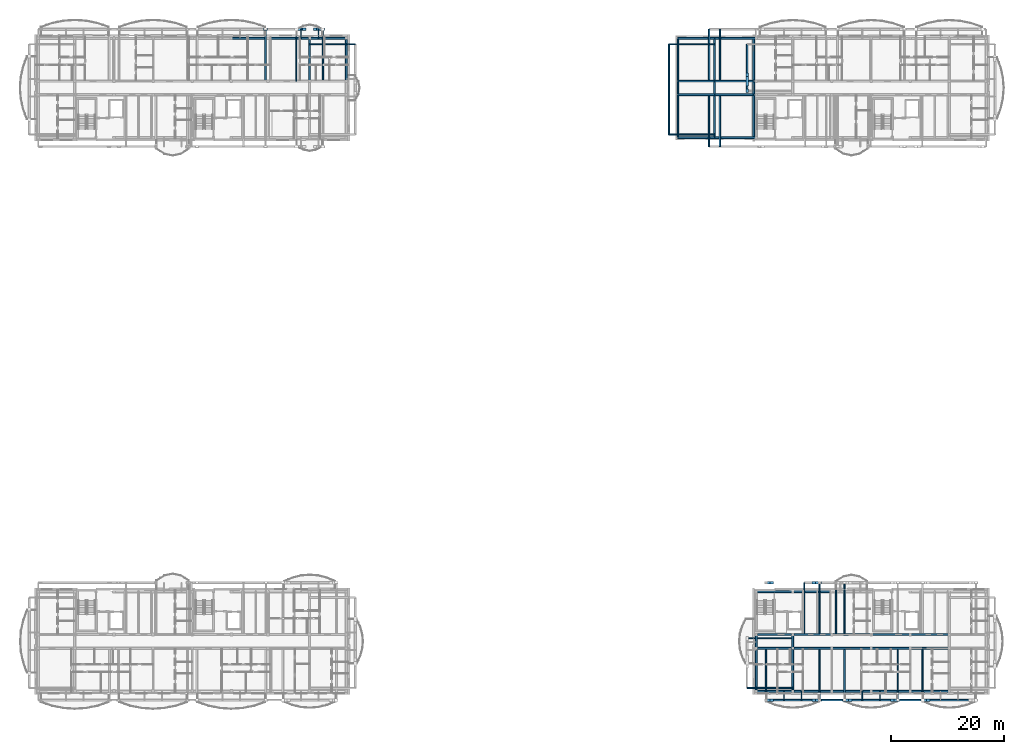
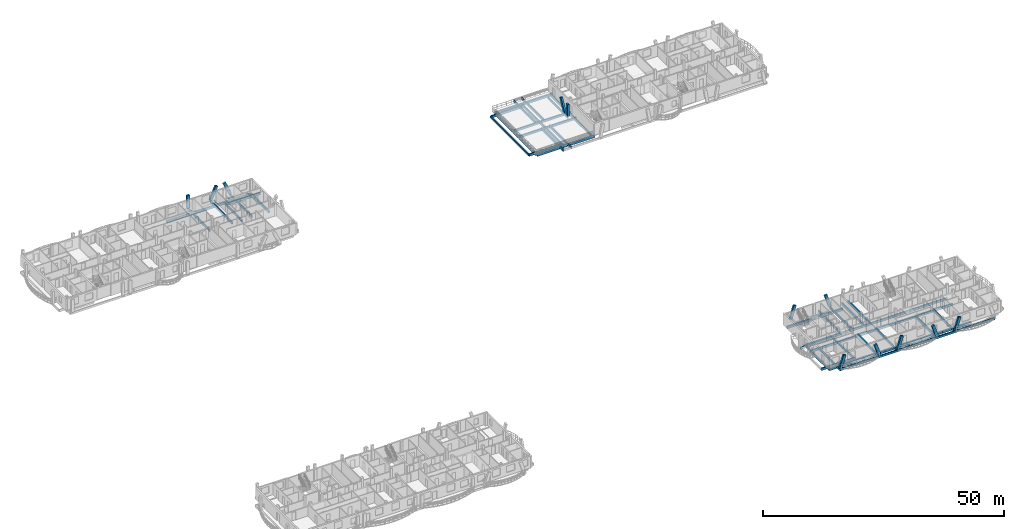
# One storey, part 5 of 44: 73 beams, 12 members.
"""IFC4 building model written with IfcOpenShell, lengths in metres."""

from ifc_helpers import new_model, si_unit, direction, frame, origin, origin_2d, place, context, subcontext, project, spatial, rectangle, i_section, extrude, material, material_profile, profile_set, type_object, element, save


model = new_model("IFC4")

# Units and contexts
model_context = context("Model", 3, precision=1e-05, world=origin(), true_north=direction((0.0, 1.0)))
body_context = subcontext(model_context, "Body", "Model", "MODEL_VIEW")
ifc_project = project(units=[si_unit("LENGTHUNIT", "METRE"), si_unit("AREAUNIT", "SQUARE_METRE"), si_unit("VOLUMEUNIT", "CUBIC_METRE"), si_unit("PLANEANGLEUNIT", "RADIAN"), si_unit("MASSUNIT", "GRAM", prefix="KILO")], contexts=[model_context])

# Site, building, storey
site_placement = place(None, origin())
site = spatial("IfcSite", under=ifc_project, at=site_placement, CompositionType="ELEMENT")
building_placement = place(site_placement, origin())
building = spatial("IfcBuilding", under=site, at=building_placement, Name="Zavelmont Quarter", CompositionType="ELEMENT")
storey_placement = place(building_placement, frame((0.0, 0.0, 20.800048828125)))
storey = spatial("IfcBuildingStorey", under=building, at=storey_placement, Name="L06", CompositionType="ELEMENT", Elevation=20.800048828125)

# Beams
ifc_material_1 = material(Name="Concrete C35/45", Category="concrete")
ifc_material_profile_1 = material_profile(ifc_material_1, rectangle(XDim=0.35009765625, YDim=0.60009765625, at=origin_2d()), Name="RC350X600")
ifc_profile_set_1 = profile_set([ifc_material_profile_1], Name="Concrete C35/45")
beam_type_1 = type_object("IfcBeamType", Name="BM01", PredefinedType="SPANDREL", material=ifc_profile_set_1)
beam_1_placement = place(storey_placement, frame((34.5, 115.56005859375, -0.550048828125), z_axis=(1.0, 0.0, 0.0), x_axis=(0.0, 1.0, 0.0)))
element("IfcBeam", 1, at=beam_1_placement, inside=storey, type_object=beam_type_1, Name="L06 beam BM01 6/S to 7/S", PredefinedType="SPANDREL", context=body_context, shape_type="SweptSolid", body=[
    extrude(rectangle(XDim=0.35009765625, YDim=0.60009765625, at=origin_2d()), origin(), (0.0, 0.0, 1.0), 6.4599609375),
])
beam_2_placement = place(storey_placement, frame((40.9599609375, 115.56005859375, -0.550048828125), z_axis=(1.0, 0.0, 0.0), x_axis=(0.0, 1.0, 0.0)))
element("IfcBeam", 2, at=beam_2_placement, inside=storey, type_object=beam_type_1, Name="L06 beam BM01 7/S to 8/S", PredefinedType="SPANDREL", context=body_context, shape_type="SweptSolid", body=[
    extrude(rectangle(XDim=0.35009765625, YDim=0.60009765625, at=origin_2d()), origin(), (0.0, 0.0, 1.0), 7.340087890625),
])
for number, where, z_axis, x_axis, name in (
    (3, (48.300048828125, 115.56005859375, -0.550048828125), (1.0, 0.0, 0.0), (0.0, 1.0, 0.0), "L06 beam BM01 8/S to 9/S"),
    (4, (113.239990234375, 98.0400390625, -0.550048828125), (1.0, 0.0, 0.0), (0.0, 1.0, 0.0), "L06 beam BM01 17/P to 18/P"),
):
    element("IfcBeam", number, at=place(storey_placement, frame(where, z_axis=z_axis, x_axis=x_axis)), inside=storey, type_object=beam_type_1, Name=name, PredefinedType="SPANDREL", context=body_context, shape_type="SweptSolid", body=[
        extrude(rectangle(XDim=0.35009765625, YDim=0.60009765625, at=origin_2d()), origin(), (0.0, 0.0, 1.0), 6.4599609375),
    ])
beam_3_placement = place(storey_placement, frame((119.699951171875, 98.0400390625, -0.550048828125), z_axis=(1.0, 0.0, 0.0), x_axis=(0.0, 1.0, 0.0)))
element("IfcBeam", 5, at=beam_3_placement, inside=storey, type_object=beam_type_1, Name="L06 beam BM01 18/P to 19/P", PredefinedType="SPANDREL", context=body_context, shape_type="SweptSolid", body=[
    extrude(rectangle(XDim=0.35009765625, YDim=0.60009765625, at=origin_2d()), origin(), (0.0, 0.0, 1.0), 7.340087890625),
])
beam_4_placement = place(storey_placement, frame((113.239990234375, 115.56005859375, -0.550048828125), z_axis=(1.0, 0.0, 0.0), x_axis=(0.0, 1.0, 0.0)))
element("IfcBeam", 6, at=beam_4_placement, inside=storey, type_object=beam_type_1, Name="L06 beam BM01 17/S to 18/S", PredefinedType="SPANDREL", context=body_context, shape_type="SweptSolid", body=[
    extrude(rectangle(XDim=0.35009765625, YDim=0.60009765625, at=origin_2d()), origin(), (0.0, 0.0, 1.0), 6.4599609375),
])
beam_5_placement = place(storey_placement, frame((119.699951171875, 115.56005859375, -0.550048828125), z_axis=(1.0, 0.0, 0.0), x_axis=(0.0, 1.0, 0.0)))
element("IfcBeam", 7, at=beam_5_placement, inside=storey, type_object=beam_type_1, Name="L06 beam BM01 18/S to 19/S", PredefinedType="SPANDREL", context=body_context, shape_type="SweptSolid", body=[
    extrude(rectangle(XDim=0.35009765625, YDim=0.60009765625, at=origin_2d()), origin(), (0.0, 0.0, 1.0), 7.340087890625),
])
beam_6_placement = place(storey_placement, frame((127.0400390625, 0.43994140625, -0.550048828125), z_axis=(1.0, 0.0, 0.0), x_axis=(0.0, 1.0, 0.0)))
element("IfcBeam", 8, at=beam_6_placement, inside=storey, type_object=beam_type_1, Name="L06 beam BM01 19/A to 20/A", PredefinedType="SPANDREL", context=body_context, shape_type="SweptSolid", body=[
    extrude(rectangle(XDim=0.35009765625, YDim=0.60009765625, at=origin_2d()), origin(), (0.0, 0.0, 1.0), 6.4599609375),
])
beam_7_placement = place(storey_placement, frame((133.5, 0.43994140625, -0.550048828125), z_axis=(1.0, 0.0, 0.0), x_axis=(0.0, 1.0, 0.0)))
element("IfcBeam", 9, at=beam_7_placement, inside=storey, type_object=beam_type_1, Name="L06 beam BM01 20/A to 21/A", PredefinedType="SPANDREL", context=body_context, shape_type="SweptSolid", body=[
    extrude(rectangle(XDim=0.35009765625, YDim=0.60009765625, at=origin_2d()), origin(), (0.0, 0.0, 1.0), 6.89990234375),
])
beam_8_placement = place(storey_placement, frame((140.39990234375, 0.43994140625, -0.550048828125), z_axis=(1.0, 0.0, 0.0), x_axis=(0.0, 1.0, 0.0)))
element("IfcBeam", 10, at=beam_8_placement, inside=storey, type_object=beam_type_1, Name="L06 beam BM01 21/A to 22/A", PredefinedType="SPANDREL", context=body_context, shape_type="SweptSolid", body=[
    extrude(rectangle(XDim=0.35009765625, YDim=0.60009765625, at=origin_2d()), origin(), (0.0, 0.0, 1.0), 6.900146484375),
])
beam_9_placement = place(storey_placement, frame((147.300048828125, 0.43994140625, -0.550048828125), z_axis=(1.0, 0.0, 0.0), x_axis=(0.0, 1.0, 0.0)))
element("IfcBeam", 11, at=beam_9_placement, inside=storey, type_object=beam_type_1, Name="L06 beam BM01 22/A to 23/A", PredefinedType="SPANDREL", context=body_context, shape_type="SweptSolid", body=[
    extrude(rectangle(XDim=0.35009765625, YDim=0.60009765625, at=origin_2d()), origin(), (0.0, 0.0, 1.0), 6.89990234375),
])
beam_10_placement = place(storey_placement, frame((154.199951171875, 0.43994140625, -0.550048828125), z_axis=(1.0, 0.0, 0.0), x_axis=(0.0, 1.0, 0.0)))
element("IfcBeam", 12, at=beam_10_placement, inside=storey, type_object=beam_type_1, Name="L06 beam BM01 23/A to 24/A", PredefinedType="SPANDREL", context=body_context, shape_type="SweptSolid", body=[
    extrude(rectangle(XDim=0.35009765625, YDim=0.60009765625, at=origin_2d()), origin(), (0.0, 0.0, 1.0), 6.900146484375),
])
beam_11_placement = place(storey_placement, frame((127.0400390625, 17.9599609375, -0.550048828125), z_axis=(1.0, 0.0, 0.0), x_axis=(0.0, 1.0, 0.0)))
element("IfcBeam", 13, at=beam_11_placement, inside=storey, type_object=beam_type_1, Name="L06 beam BM01 19/D to 20/D", PredefinedType="SPANDREL", context=body_context, shape_type="SweptSolid", body=[
    extrude(rectangle(XDim=0.35009765625, YDim=0.60009765625, at=origin_2d()), origin(), (0.0, 0.0, 1.0), 6.4599609375),
])
beam_12_placement = place(storey_placement, frame((133.5, 17.9599609375, -0.550048828125), z_axis=(1.0, 0.0, 0.0), x_axis=(0.0, 1.0, 0.0)))
element("IfcBeam", 14, at=beam_12_placement, inside=storey, type_object=beam_type_1, Name="L06 beam BM01 20/D to 21/D", PredefinedType="SPANDREL", context=body_context, shape_type="SweptSolid", body=[
    extrude(rectangle(XDim=0.35009765625, YDim=0.60009765625, at=origin_2d()), origin(), (0.0, 0.0, 1.0), 6.89990234375),
])
ifc_material_profile_2 = material_profile(ifc_material_1, rectangle(XDim=0.300048828125, YDim=0.550048828125, at=origin_2d()), Name="RC300X550")
ifc_profile_set_2 = profile_set([ifc_material_profile_2], Name="Concrete C35/45")
beam_type_2 = type_object("IfcBeamType", Name="BM02", PredefinedType="SPANDREL", material=ifc_profile_set_2)
for number, where, z_axis, x_axis, name in (
    (15, (48.300048828125, 108.0, -0.525146484375), (0.0, 1.0, 0.0), (-1.0, 0.0, 0.0), "L06 beam BM02 8/R to 8/S"),
    (16, (54.760009765625, 108.0, -0.525146484375), (0.0, 1.0, 0.0), (-1.0, 0.0, 0.0), "L06 beam BM02 9/R to 9/S"),
):
    element("IfcBeam", number, at=place(storey_placement, frame(where, z_axis=z_axis, x_axis=x_axis)), inside=storey, type_object=beam_type_2, Name=name, PredefinedType="SPANDREL", context=body_context, shape_type="SweptSolid", body=[
        extrude(rectangle(XDim=0.300048828125, YDim=0.550048828125, at=origin_2d()), origin(), (0.0, 0.0, 1.0), 7.56005859375),
    ])
beam_13_placement = place(storey_placement, frame((113.239990234375, 105.60009765625, -0.525146484375), z_axis=(1.0, 0.0, 0.0), x_axis=(0.0, 1.0, 0.0)))
element("IfcBeam", 17, at=beam_13_placement, inside=storey, type_object=beam_type_2, Name="L06 beam BM02 17/Q to 18/Q", PredefinedType="SPANDREL", context=body_context, shape_type="SweptSolid", body=[
    extrude(rectangle(XDim=0.300048828125, YDim=0.550048828125, at=origin_2d()), origin(), (0.0, 0.0, 1.0), 6.4599609375),
])
beam_14_placement = place(storey_placement, frame((119.699951171875, 105.60009765625, -0.525146484375), z_axis=(1.0, 0.0, 0.0), x_axis=(0.0, 1.0, 0.0)))
element("IfcBeam", 18, at=beam_14_placement, inside=storey, type_object=beam_type_2, Name="L06 beam BM02 18/Q to 19/Q", PredefinedType="SPANDREL", context=body_context, shape_type="SweptSolid", body=[
    extrude(rectangle(XDim=0.300048828125, YDim=0.550048828125, at=origin_2d()), origin(), (0.0, 0.0, 1.0), 7.340087890625),
])
beam_15_placement = place(storey_placement, frame((113.239990234375, 108.0, -0.525146484375), z_axis=(1.0, 0.0, 0.0), x_axis=(0.0, 1.0, 0.0)))
element("IfcBeam", 19, at=beam_15_placement, inside=storey, type_object=beam_type_2, Name="L06 beam BM02 17/R to 18/R", PredefinedType="SPANDREL", context=body_context, shape_type="SweptSolid", body=[
    extrude(rectangle(XDim=0.300048828125, YDim=0.550048828125, at=origin_2d()), origin(), (0.0, 0.0, 1.0), 6.4599609375),
])
beam_16_placement = place(storey_placement, frame((119.699951171875, 108.0, -0.525146484375), z_axis=(1.0, 0.0, 0.0), x_axis=(0.0, 1.0, 0.0)))
element("IfcBeam", 20, at=beam_16_placement, inside=storey, type_object=beam_type_2, Name="L06 beam BM02 18/R to 19/R", PredefinedType="SPANDREL", context=body_context, shape_type="SweptSolid", body=[
    extrude(rectangle(XDim=0.300048828125, YDim=0.550048828125, at=origin_2d()), origin(), (0.0, 0.0, 1.0), 7.340087890625),
])
beam_17_placement = place(storey_placement, frame((113.239990234375, 98.205078125, -0.525146484375), z_axis=(0.0, 1.0, 0.0), x_axis=(-1.0, 0.0, 0.0)))
element("IfcBeam", 21, at=beam_17_placement, inside=storey, type_object=beam_type_2, Name="L06 beam BM02 17/P to 17/Q", PredefinedType="SPANDREL", context=body_context, shape_type="SweptSolid", body=[
    extrude(rectangle(XDim=0.300048828125, YDim=0.550048828125, at=origin_2d()), origin(), (0.0, 0.0, 1.0), 7.2548828125),
])
beam_18_placement = place(storey_placement, frame((113.239990234375, 105.739990234375, -0.525146484375), z_axis=(0.0, 1.0, 0.0), x_axis=(-1.0, 0.0, 0.0)))
element("IfcBeam", 22, at=beam_18_placement, inside=storey, type_object=beam_type_2, Name="L06 beam BM02 17/Q to 17/R", PredefinedType="SPANDREL", context=body_context, shape_type="SweptSolid", body=[
    extrude(rectangle(XDim=0.300048828125, YDim=0.550048828125, at=origin_2d()), origin(), (0.0, 0.0, 1.0), 2.1201171875),
])
beam_19_placement = place(storey_placement, frame((113.239990234375, 108.139892578125, -0.525146484375), z_axis=(0.0, 1.0, 0.0), x_axis=(-1.0, 0.0, 0.0)))
element("IfcBeam", 23, at=beam_19_placement, inside=storey, type_object=beam_type_2, Name="L06 beam BM02 17/R to 17/S", PredefinedType="SPANDREL", context=body_context, shape_type="SweptSolid", body=[
    extrude(rectangle(XDim=0.300048828125, YDim=0.550048828125, at=origin_2d()), origin(), (0.0, 0.0, 1.0), 7.255126953125),
])
beam_20_placement = place(storey_placement, frame((119.699951171875, 98.205078125, -0.525146484375), z_axis=(0.0, 1.0, 0.0), x_axis=(-1.0, 0.0, 0.0)))
element("IfcBeam", 24, at=beam_20_placement, inside=storey, type_object=beam_type_2, Name="L06 beam BM02 18/P to 18/Q", PredefinedType="SPANDREL", context=body_context, shape_type="SweptSolid", body=[
    extrude(rectangle(XDim=0.300048828125, YDim=0.550048828125, at=origin_2d()), origin(), (0.0, 0.0, 1.0), 7.2548828125),
])
beam_21_placement = place(storey_placement, frame((119.699951171875, 105.739990234375, -0.525146484375), z_axis=(0.0, 1.0, 0.0), x_axis=(-1.0, 0.0, 0.0)))
element("IfcBeam", 25, at=beam_21_placement, inside=storey, type_object=beam_type_2, Name="L06 beam BM02 18/Q to 18/R", PredefinedType="SPANDREL", context=body_context, shape_type="SweptSolid", body=[
    extrude(rectangle(XDim=0.300048828125, YDim=0.550048828125, at=origin_2d()), origin(), (0.0, 0.0, 1.0), 2.1201171875),
])
beam_22_placement = place(storey_placement, frame((119.699951171875, 108.139892578125, -0.525146484375), z_axis=(0.0, 1.0, 0.0), x_axis=(-1.0, 0.0, 0.0)))
element("IfcBeam", 26, at=beam_22_placement, inside=storey, type_object=beam_type_2, Name="L06 beam BM02 18/R to 18/S", PredefinedType="SPANDREL", context=body_context, shape_type="SweptSolid", body=[
    extrude(rectangle(XDim=0.300048828125, YDim=0.550048828125, at=origin_2d()), origin(), (0.0, 0.0, 1.0), 7.255126953125),
])
beam_23_placement = place(storey_placement, frame((126.60009765625, 98.205078125, -0.525146484375), z_axis=(0.0, 1.0, 0.0), x_axis=(-1.0, 0.0, 0.0)))
element("IfcBeam", 27, at=beam_23_placement, inside=storey, type_object=beam_type_2, Name="L06 beam BM02 19/P to 19/Q", PredefinedType="SPANDREL", context=body_context, shape_type="SweptSolid", body=[
    extrude(rectangle(XDim=0.300048828125, YDim=0.550048828125, at=origin_2d()), origin(), (0.0, 0.0, 1.0), 7.2548828125),
])
beam_24_placement = place(storey_placement, frame((126.60009765625, 105.739990234375, -0.525146484375), z_axis=(0.0, 1.0, 0.0), x_axis=(-1.0, 0.0, 0.0)))
element("IfcBeam", 28, at=beam_24_placement, inside=storey, type_object=beam_type_2, Name="L06 beam BM02 19/Q to 19/R", PredefinedType="SPANDREL", context=body_context, shape_type="SweptSolid", body=[
    extrude(rectangle(XDim=0.300048828125, YDim=0.550048828125, at=origin_2d()), origin(), (0.0, 0.0, 1.0), 2.1201171875),
])
beam_25_placement = place(storey_placement, frame((126.60009765625, 108.139892578125, -0.525146484375), z_axis=(0.0, 1.0, 0.0), x_axis=(-1.0, 0.0, 0.0)))
element("IfcBeam", 29, at=beam_25_placement, inside=storey, type_object=beam_type_2, Name="L06 beam BM02 19/R to 19/S", PredefinedType="SPANDREL", context=body_context, shape_type="SweptSolid", body=[
    extrude(rectangle(XDim=0.300048828125, YDim=0.550048828125, at=origin_2d()), origin(), (0.0, 0.0, 1.0), 7.255126953125),
])
beam_26_placement = place(storey_placement, frame((127.0400390625, 8.0, -0.525146484375), z_axis=(1.0, 0.0, 0.0), x_axis=(0.0, 1.0, 0.0)))
element("IfcBeam", 30, at=beam_26_placement, inside=storey, type_object=beam_type_2, Name="L06 beam BM02 19/B to 20/B", PredefinedType="SPANDREL", context=body_context, shape_type="SweptSolid", body=[
    extrude(rectangle(XDim=0.300048828125, YDim=0.550048828125, at=origin_2d()), origin(), (0.0, 0.0, 1.0), 6.4599609375),
])
beam_27_placement = place(storey_placement, frame((133.5, 8.0, -0.525146484375), z_axis=(1.0, 0.0, 0.0), x_axis=(0.0, 1.0, 0.0)))
element("IfcBeam", 31, at=beam_27_placement, inside=storey, type_object=beam_type_2, Name="L06 beam BM02 20/B to 21/B", PredefinedType="SPANDREL", context=body_context, shape_type="SweptSolid", body=[
    extrude(rectangle(XDim=0.300048828125, YDim=0.550048828125, at=origin_2d()), origin(), (0.0, 0.0, 1.0), 6.89990234375),
])
beam_28_placement = place(storey_placement, frame((140.39990234375, 8.0, -0.525146484375), z_axis=(1.0, 0.0, 0.0), x_axis=(0.0, 1.0, 0.0)))
element("IfcBeam", 32, at=beam_28_placement, inside=storey, type_object=beam_type_2, Name="L06 beam BM02 21/B to 22/B", PredefinedType="SPANDREL", context=body_context, shape_type="SweptSolid", body=[
    extrude(rectangle(XDim=0.300048828125, YDim=0.550048828125, at=origin_2d()), origin(), (0.0, 0.0, 1.0), 6.900146484375),
])
beam_29_placement = place(storey_placement, frame((147.300048828125, 8.0, -0.525146484375), z_axis=(1.0, 0.0, 0.0), x_axis=(0.0, 1.0, 0.0)))
element("IfcBeam", 33, at=beam_29_placement, inside=storey, type_object=beam_type_2, Name="L06 beam BM02 22/B to 23/B", PredefinedType="SPANDREL", context=body_context, shape_type="SweptSolid", body=[
    extrude(rectangle(XDim=0.300048828125, YDim=0.550048828125, at=origin_2d()), origin(), (0.0, 0.0, 1.0), 6.89990234375),
])
beam_30_placement = place(storey_placement, frame((154.199951171875, 8.0, -0.525146484375), z_axis=(1.0, 0.0, 0.0), x_axis=(0.0, 1.0, 0.0)))
element("IfcBeam", 34, at=beam_30_placement, inside=storey, type_object=beam_type_2, Name="L06 beam BM02 23/B to 24/B", PredefinedType="SPANDREL", context=body_context, shape_type="SweptSolid", body=[
    extrude(rectangle(XDim=0.300048828125, YDim=0.550048828125, at=origin_2d()), origin(), (0.0, 0.0, 1.0), 6.900146484375),
])
beam_31_placement = place(storey_placement, frame((127.0400390625, 10.39990234375, -0.525146484375), z_axis=(1.0, 0.0, 0.0), x_axis=(0.0, 1.0, 0.0)))
element("IfcBeam", 35, at=beam_31_placement, inside=storey, type_object=beam_type_2, Name="L06 beam BM02 19/C to 20/C", PredefinedType="SPANDREL", context=body_context, shape_type="SweptSolid", body=[
    extrude(rectangle(XDim=0.300048828125, YDim=0.550048828125, at=origin_2d()), origin(), (0.0, 0.0, 1.0), 6.4599609375),
])
beam_32_placement = place(storey_placement, frame((133.5, 10.39990234375, -0.525146484375), z_axis=(1.0, 0.0, 0.0), x_axis=(0.0, 1.0, 0.0)))
element("IfcBeam", 36, at=beam_32_placement, inside=storey, type_object=beam_type_2, Name="L06 beam BM02 20/C to 21/C", PredefinedType="SPANDREL", context=body_context, shape_type="SweptSolid", body=[
    extrude(rectangle(XDim=0.300048828125, YDim=0.550048828125, at=origin_2d()), origin(), (0.0, 0.0, 1.0), 6.89990234375),
])
beam_33_placement = place(storey_placement, frame((140.39990234375, 10.39990234375, -0.525146484375), z_axis=(1.0, 0.0, 0.0), x_axis=(0.0, 1.0, 0.0)))
element("IfcBeam", 37, at=beam_33_placement, inside=storey, type_object=beam_type_2, Name="L06 beam BM02 21/C to 22/C", PredefinedType="SPANDREL", context=body_context, shape_type="SweptSolid", body=[
    extrude(rectangle(XDim=0.300048828125, YDim=0.550048828125, at=origin_2d()), origin(), (0.0, 0.0, 1.0), 6.900146484375),
])
beam_34_placement = place(storey_placement, frame((147.300048828125, 10.39990234375, -0.525146484375), z_axis=(1.0, 0.0, 0.0), x_axis=(0.0, 1.0, 0.0)))
element("IfcBeam", 38, at=beam_34_placement, inside=storey, type_object=beam_type_2, Name="L06 beam BM02 22/C to 23/C", PredefinedType="SPANDREL", context=body_context, shape_type="SweptSolid", body=[
    extrude(rectangle(XDim=0.300048828125, YDim=0.550048828125, at=origin_2d()), origin(), (0.0, 0.0, 1.0), 6.89990234375),
])
beam_35_placement = place(storey_placement, frame((154.199951171875, 10.39990234375, -0.525146484375), z_axis=(1.0, 0.0, 0.0), x_axis=(0.0, 1.0, 0.0)))
element("IfcBeam", 39, at=beam_35_placement, inside=storey, type_object=beam_type_2, Name="L06 beam BM02 23/C to 24/C", PredefinedType="SPANDREL", context=body_context, shape_type="SweptSolid", body=[
    extrude(rectangle(XDim=0.300048828125, YDim=0.550048828125, at=origin_2d()), origin(), (0.0, 0.0, 1.0), 6.900146484375),
])
beam_36_placement = place(storey_placement, frame((127.0400390625, 0.43994140625, -0.525146484375), z_axis=(0.0, 1.0, 0.0), x_axis=(-1.0, 0.0, 0.0)))
element("IfcBeam", 40, at=beam_36_placement, inside=storey, type_object=beam_type_2, Name="L06 beam BM02 19/A to 19/B", PredefinedType="SPANDREL", context=body_context, shape_type="SweptSolid", body=[
    extrude(rectangle(XDim=0.300048828125, YDim=0.550048828125, at=origin_2d()), origin(), (0.0, 0.0, 1.0), 7.56005859375),
])
beam_37_placement = place(storey_placement, frame((127.0400390625, 8.0, -0.525146484375), z_axis=(0.0, 1.0, 0.0), x_axis=(-1.0, 0.0, 0.0)))
element("IfcBeam", 41, at=beam_37_placement, inside=storey, type_object=beam_type_2, Name="L06 beam BM02 19/B to 19/C", PredefinedType="SPANDREL", context=body_context, shape_type="SweptSolid", body=[
    extrude(rectangle(XDim=0.300048828125, YDim=0.550048828125, at=origin_2d()), origin(), (0.0, 0.0, 1.0), 2.39990234375),
])
beam_38_placement = place(storey_placement, frame((133.5, 0.43994140625, -0.525146484375), z_axis=(0.0, 1.0, 0.0), x_axis=(-1.0, 0.0, 0.0)))
element("IfcBeam", 42, at=beam_38_placement, inside=storey, type_object=beam_type_2, Name="L06 beam BM02 20/A to 20/B", PredefinedType="SPANDREL", context=body_context, shape_type="SweptSolid", body=[
    extrude(rectangle(XDim=0.300048828125, YDim=0.550048828125, at=origin_2d()), origin(), (0.0, 0.0, 1.0), 7.56005859375),
])
beam_39_placement = place(storey_placement, frame((133.5, 8.0, -0.525146484375), z_axis=(0.0, 1.0, 0.0), x_axis=(-1.0, 0.0, 0.0)))
element("IfcBeam", 43, at=beam_39_placement, inside=storey, type_object=beam_type_2, Name="L06 beam BM02 20/B to 20/C", PredefinedType="SPANDREL", context=body_context, shape_type="SweptSolid", body=[
    extrude(rectangle(XDim=0.300048828125, YDim=0.550048828125, at=origin_2d()), origin(), (0.0, 0.0, 1.0), 2.39990234375),
])
ifc_material_profile_3 = material_profile(ifc_material_1, rectangle(XDim=0.300048828125, YDim=0.5, at=origin_2d()), Name="RC300X500")
ifc_profile_set_3 = profile_set([ifc_material_profile_3], Name="Concrete C35/45")
beam_type_3 = type_object("IfcBeamType", Name="BM03", PredefinedType="BEAM", material=ifc_profile_set_3)
beam_40_placement = place(storey_placement, frame((111.64990234375, 98.550048828125, -0.25), z_axis=(0.0, 1.0, 0.0), x_axis=(-1.0, 0.0, 0.0)))
element("IfcBeam", 44, at=beam_40_placement, inside=storey, type_object=beam_type_3, Name="L06 beam BM03 17/P to 17/S", PredefinedType="BEAM", context=body_context, shape_type="SweptSolid", body=[
    extrude(rectangle(XDim=0.300048828125, YDim=0.5, at=origin_2d()), origin(), (0.0, 0.0, 1.0), 15.949951171875),
])
beam_41_placement = place(storey_placement, frame((125.449951171875, 106.25, -0.25), z_axis=(0.0, 1.0, 0.0), x_axis=(-1.0, 0.0, 0.0)))
element("IfcBeam", 45, at=beam_41_placement, inside=storey, type_object=beam_type_3, Name="L06 beam BM03 19/Q to 19/S", PredefinedType="BEAM", context=body_context, shape_type="SweptSolid", body=[
    extrude(rectangle(XDim=0.300048828125, YDim=0.5, at=origin_2d()), origin(), (0.0, 0.0, 1.0), 8.25),
])
beam_42_placement = place(storey_placement, frame((128.784912109375, -1.14990234375, -0.25), z_axis=(1.0, 0.0, 0.0), x_axis=(0.0, 1.0, 0.0)))
element("IfcBeam", 46, at=beam_42_placement, inside=storey, type_object=beam_type_3, Name="L06 beam BM03 19/A to 25/A", PredefinedType="BEAM", context=body_context, shape_type="SweptSolid", body=[
    extrude(rectangle(XDim=0.300048828125, YDim=0.5, at=origin_2d()), origin(), (0.0, 0.0, 1.0), 37.030029296875),
])
ifc_material_2 = material(Name="Steel S355", Category="steel")
ifc_material_profile_4 = material_profile(ifc_material_2, i_section(OverallWidth=0.110107421875, OverallDepth=0.219970703125, WebThickness=0.005859375, FlangeThickness=0.00927734375, at=origin_2d()), Name="IPE 220")
ifc_profile_set_4 = profile_set([ifc_material_profile_4], Name="Steel S355")
beam_type_4 = type_object("IfcBeamType", Name="BM15", PredefinedType="JOIST", material=ifc_profile_set_4)
for number, where, z_axis, x_axis, name in (
    (47, (46.75, 115.56005859375, -0.362060546875), (0.0, 1.0, 0.0), (-1.0, 0.0, 0.0), "L06 beam BM15 8/S to 8/S"),
    (48, (49.85009765625, 115.56005859375, -0.362060546875), (0.0, 1.0, 0.0), (-1.0, 0.0, 0.0), "L06 beam BM15 8/S to 8/S"),
    (49, (131.949951171875, 0.43994140625, -0.362060546875), (0.0, -1.0, 0.0), (1.0, 0.0, 0.0), "L06 beam BM15 20/A to 20/A"),
    (50, (135.050048828125, 0.43994140625, -0.362060546875), (0.0, -1.0, 0.0), (1.0, 0.0, 0.0), "L06 beam BM15 20/A to 20/A"),
    (51, (145.75, 0.43994140625, -0.366943359375), (0.0, -1.0, 0.0), (1.0, 0.0, 0.0), "L06 beam BM15 22/A to 22/A"),
    (52, (148.85009765625, 0.43994140625, -0.366943359375), (0.0, -1.0, 0.0), (1.0, 0.0, 0.0), "L06 beam BM15 22/A to 22/A"),
):
    element("IfcBeam", number, at=place(storey_placement, frame(where, z_axis=z_axis, x_axis=x_axis)), inside=storey, type_object=beam_type_4, Name=name, PredefinedType="JOIST", context=body_context, shape_type="SweptSolid", body=[
        extrude(i_section(OverallWidth=0.110107421875, OverallDepth=0.219970703125, WebThickness=0.005859375, FlangeThickness=0.00927734375, at=origin_2d()), origin(), (0.0, 0.0, 1.0), 1.58984375),
    ])
ifc_material_3 = material(Name="Concrete C40/50", Category="concrete")
ifc_material_profile_5 = material_profile(ifc_material_3, rectangle(XDim=0.25, YDim=0.60009765625, at=origin_2d()), Name="RC250X600")
ifc_profile_set_5 = profile_set([ifc_material_profile_5], Name="Concrete C40/50")
beam_type_5 = type_object("IfcBeamType", Name="BM18", PredefinedType="BEAM", material=ifc_profile_set_5)
for number, where, z_axis, x_axis, name in (
    (53, (40.545654296875, 108.0, -0.300048828125), (0.0, 1.0, 0.0), (-1.0, 0.0, 0.0), "L06 beam BM18 7/R to 7/S"),
    (54, (45.9345703125, 108.0, -0.300048828125), (0.0, 1.0, 0.0), (-1.0, 0.0, 0.0), "L06 beam BM18 8/R to 8/S"),
    (55, (50.66552734375, 108.0, -0.300048828125), (0.0, 1.0, 0.0), (-1.0, 0.0, 0.0), "L06 beam BM18 8/R to 8/S"),
):
    element("IfcBeam", number, at=place(storey_placement, frame(where, z_axis=z_axis, x_axis=x_axis)), inside=storey, type_object=beam_type_5, Name=name, PredefinedType="BEAM", context=body_context, shape_type="SweptSolid", body=[
        extrude(rectangle(XDim=0.25, YDim=0.60009765625, at=origin_2d()), origin(), (0.0, 0.0, 1.0), 9.14990234375),
    ])
beam_43_placement = place(storey_placement, frame((48.300048828125, 114.5, -0.300048828125), z_axis=(1.0, 0.0, 0.0), x_axis=(0.0, 1.0, 0.0)))
element("IfcBeam", 56, at=beam_43_placement, inside=storey, type_object=beam_type_5, Name="L06 beam BM18 8/S to 9/S", PredefinedType="BEAM", context=body_context, shape_type="SweptSolid", body=[
    extrude(rectangle(XDim=0.25, YDim=0.60009765625, at=origin_2d()), origin(), (0.0, 0.0, 1.0), 8.050048828125),
])
for number, where, z_axis, x_axis, name in (
    (57, (118.75, 108.0, -0.300048828125), (0.0, 1.0, 0.0), (-1.0, 0.0, 0.0), "L06 beam BM18 18/R to 18/S"),
    (58, (120.64990234375, 108.0, -0.300048828125), (0.0, 1.0, 0.0), (-1.0, 0.0, 0.0), "L06 beam BM18 18/R to 18/S"),
):
    element("IfcBeam", number, at=place(storey_placement, frame(where, z_axis=z_axis, x_axis=x_axis)), inside=storey, type_object=beam_type_5, Name=name, PredefinedType="BEAM", context=body_context, shape_type="SweptSolid", body=[
        extrude(rectangle(XDim=0.25, YDim=0.60009765625, at=origin_2d()), origin(), (0.0, 0.0, 1.0), 9.14990234375),
    ])
for number, where, z_axis, x_axis, name in (
    (59, (118.75, 105.60009765625, -0.300048828125), (0.0, -1.0, 0.0), (1.0, 0.0, 0.0), "L06 beam BM18 18/Q to 18/P"),
    (60, (120.64990234375, 105.60009765625, -0.300048828125), (0.0, -1.0, 0.0), (1.0, 0.0, 0.0), "L06 beam BM18 18/Q to 18/P"),
):
    element("IfcBeam", number, at=place(storey_placement, frame(where, z_axis=z_axis, x_axis=x_axis)), inside=storey, type_object=beam_type_5, Name=name, PredefinedType="BEAM", context=body_context, shape_type="SweptSolid", body=[
        extrude(rectangle(XDim=0.25, YDim=0.60009765625, at=origin_2d()), origin(), (0.0, 0.0, 1.0), 9.150146484375),
    ])
for number, where, z_axis, x_axis, name in (
    (61, (119.699951171875, 98.550048828125, -0.300048828125), (-1.0, 0.0, 0.0), (0.0, -1.0, 0.0), "L06 beam BM18 18/P to 17/P"),
    (62, (119.699951171875, 114.5, -0.300048828125), (-1.0, 0.0, 0.0), (0.0, -1.0, 0.0), "L06 beam BM18 18/S to 17/S"),
):
    element("IfcBeam", number, at=place(storey_placement, frame(where, z_axis=z_axis, x_axis=x_axis)), inside=storey, type_object=beam_type_5, Name=name, PredefinedType="BEAM", context=body_context, shape_type="SweptSolid", body=[
        extrude(rectangle(XDim=0.25, YDim=0.60009765625, at=origin_2d()), origin(), (0.0, 0.0, 1.0), 8.050048828125),
    ])
for number, where, z_axis, x_axis, name in (
    (63, (128.785400390625, 8.0, -0.300048828125), (0.0, -1.0, 0.0), (1.0, 0.0, 0.0), "L06 beam BM18 19/B to 19/A"),
    (64, (138.214599609375, 8.0, -0.300048828125), (0.0, -1.0, 0.0), (1.0, 0.0, 0.0), "L06 beam BM18 21/B to 21/A"),
    (65, (142.585205078125, 8.0, -0.300048828125), (0.0, -1.0, 0.0), (1.0, 0.0, 0.0), "L06 beam BM18 21/B to 21/A"),
    (66, (152.0146484375, 8.0, -0.300048828125), (0.0, -1.0, 0.0), (1.0, 0.0, 0.0), "L06 beam BM18 23/B to 23/A"),
    (67, (156.38525390625, 8.0, -0.300048828125), (0.0, -1.0, 0.0), (1.0, 0.0, 0.0), "L06 beam BM18 23/B to 23/A"),
):
    element("IfcBeam", number, at=place(storey_placement, frame(where, z_axis=z_axis, x_axis=x_axis)), inside=storey, type_object=beam_type_5, Name=name, PredefinedType="BEAM", context=body_context, shape_type="SweptSolid", body=[
        extrude(rectangle(XDim=0.25, YDim=0.60009765625, at=origin_2d()), origin(), (0.0, 0.0, 1.0), 9.14990234375),
    ])
for number, where, z_axis, x_axis, name in (
    (68, (135.52490234375, 10.39990234375, -0.300048828125), (0.0, 1.0, 0.0), (-1.0, 0.0, 0.0), "L06 beam BM18 20/C to 20/D"),
    (69, (138.214599609375, 10.39990234375, -0.300048828125), (0.0, 1.0, 0.0), (-1.0, 0.0, 0.0), "L06 beam BM18 21/C to 21/D"),
    (70, (142.585205078125, 10.39990234375, -0.300048828125), (0.0, 1.0, 0.0), (-1.0, 0.0, 0.0), "L06 beam BM18 21/C to 21/D"),
    (71, (141.110595703125, 10.39990234375, -0.300048828125), (0.0, 1.0, 0.0), (-1.0, 0.0, 0.0), "L06 beam BM18 21/C to 21/D"),
):
    element("IfcBeam", number, at=place(storey_placement, frame(where, z_axis=z_axis, x_axis=x_axis)), inside=storey, type_object=beam_type_5, Name=name, PredefinedType="BEAM", context=body_context, shape_type="SweptSolid", body=[
        extrude(rectangle(XDim=0.25, YDim=0.60009765625, at=origin_2d()), origin(), (0.0, 0.0, 1.0), 9.150146484375),
    ])
for number, where, z_axis, x_axis, name in (
    (72, (133.5, 0.949951171875, -0.300048828125), (-1.0, 0.0, 0.0), (0.0, -1.0, 0.0), "L06 beam BM18 20/A to 19/A"),
    (73, (133.5, 9.75, -0.300048828125), (-1.0, 0.0, 0.0), (0.0, -1.0, 0.0), "L06 beam BM18 20/C to 19/C"),
):
    element("IfcBeam", number, at=place(storey_placement, frame(where, z_axis=z_axis, x_axis=x_axis)), inside=storey, type_object=beam_type_5, Name=name, PredefinedType="BEAM", context=body_context, shape_type="SweptSolid", body=[
        extrude(rectangle(XDim=0.25, YDim=0.60009765625, at=origin_2d()), origin(), (0.0, 0.0, 1.0), 8.050048828125),
    ])

# Members
ifc_material_4 = material(Name="White architectural precast concrete C40/50", Category="concrete")
ifc_material_profile_6 = material_profile(ifc_material_4, rectangle(XDim=0.43994140625, YDim=0.659912109375, at=origin_2d()), Name="PCR320X480")
ifc_profile_set_6 = profile_set([ifc_material_profile_6], Name="White architectural precast concrete C40/50")
member_type = type_object("IfcMemberType", Name="VR01M", PredefinedType="CHORD", material=ifc_profile_set_6)
member_1_placement = place(storey_placement, frame((40.545654296875, 117.14990234375, 0.0), z_axis=(-0.007705577285, 0.0, 0.999970311599), x_axis=(0.0, -1.0, 0.0)))
element("IfcMember", 74, at=member_1_placement, inside=storey, type_object=member_type, Name="L06 member VR01M 7/S to 7/S", PredefinedType="CHORD", context=body_context, shape_type="SweptSolid", body=[
    extrude(rectangle(XDim=0.43994140625, YDim=0.659912109375, at=origin_2d()), origin(), (0.0, 0.0, 1.0), 3.199951171875),
])
for number, where, z_axis, x_axis, name in (
    (75, (45.9345703125, 117.14990234375, 0.0), (0.40454529288, 0.0, 0.914517963743), (0.0, 1.0, 0.0), "L06 member VR01M 8/S to 8/S"),
    (76, (50.66552734375, 117.14990234375, 0.0), (-0.40454529288, 0.0, 0.914517963743), (0.0, -1.0, 0.0), "L06 member VR01M 8/S to 8/S"),
):
    element("IfcMember", number, at=place(storey_placement, frame(where, z_axis=z_axis, x_axis=x_axis)), inside=storey, type_object=member_type, Name=name, PredefinedType="CHORD", context=body_context, shape_type="SweptSolid", body=[
        extrude(rectangle(XDim=0.43994140625, YDim=0.659912109375, at=origin_2d()), origin(), (0.0, 0.0, 1.0), 3.4990234375),
    ])
member_2_placement = place(storey_placement, frame((125.449951171875, 106.300048828125, 0.0), z_axis=(0.0, 0.0, 1.0), x_axis=(1.0, 0.0, 0.0)))
element("IfcMember", 77, at=member_2_placement, inside=storey, type_object=member_type, Name="L06 member VR01M 19/Q to 19/Q", PredefinedType="CHORD", context=body_context, shape_type="SweptSolid", body=[
    extrude(rectangle(XDim=0.43994140625, YDim=0.659912109375, at=origin_2d()), origin(), (0.0, 0.0, 1.0), 3.199951171875),
])
member_3_placement = place(storey_placement, frame((125.449951171875, 107.3798828125, 0.0), z_axis=(0.0, 0.478528229352, 0.878072168853), x_axis=(-1.0, 0.0, 0.0)))
element("IfcMember", 78, at=member_3_placement, inside=storey, type_object=member_type, Name="L06 member VR01M 19/R to 19/R", PredefinedType="CHORD", context=body_context, shape_type="SweptSolid", body=[
    extrude(rectangle(XDim=0.43994140625, YDim=0.659912109375, at=origin_2d()), origin(), (0.0, 0.0, 1.0), 3.644287109375),
])
for number, where, z_axis, x_axis, name in (
    (79, (128.785400390625, -1.14990234375, 0.0), (0.301855345542, 0.0, 0.953353738319), (0.0, 1.0, 0.0), "L06 member VR01M 19/A to 19/A"),
    (80, (138.214599609375, -1.14990234375, 0.0), (-0.301855345542, 0.0, 0.953353738319), (0.0, -1.0, 0.0), "L06 member VR01M 21/A to 21/A"),
):
    element("IfcMember", number, at=place(storey_placement, frame(where, z_axis=z_axis, x_axis=x_axis)), inside=storey, type_object=member_type, Name=name, PredefinedType="CHORD", context=body_context, shape_type="SweptSolid", body=[
        extrude(rectangle(XDim=0.43994140625, YDim=0.659912109375, at=origin_2d()), origin(), (0.0, 0.0, 1.0), 3.3564453125),
    ])
for number, where, z_axis, x_axis, name in (
    (81, (142.585205078125, -1.14990234375, 0.0), (0.301921452112, 0.0, 0.953332804825), (0.0, 1.0, 0.0), "L06 member VR01M 21/A to 21/A"),
    (82, (152.0146484375, -1.14990234375, 0.0), (-0.301921452112, 0.0, 0.953332804825), (0.0, -1.0, 0.0), "L06 member VR01M 23/A to 23/A"),
    (83, (156.38525390625, -1.14990234375, 0.0), (0.301921452112, 0.0, 0.953332804825), (0.0, 1.0, 0.0), "L06 member VR01M 23/A to 23/A"),
):
    element("IfcMember", number, at=place(storey_placement, frame(where, z_axis=z_axis, x_axis=x_axis)), inside=storey, type_object=member_type, Name=name, PredefinedType="CHORD", context=body_context, shape_type="SweptSolid", body=[
        extrude(rectangle(XDim=0.43994140625, YDim=0.659912109375, at=origin_2d()), origin(), (0.0, 0.0, 1.0), 3.356689453125),
    ])
for number, where, z_axis, x_axis, name in (
    (84, (128.785400390625, 19.550048828125, 0.0), (0.301855345542, 0.0, 0.953353738319), (0.0, 1.0, 0.0), "L06 member VR01M 19/D to 19/D"),
    (85, (138.214599609375, 19.550048828125, 0.0), (-0.301855345542, 0.0, 0.953353738319), (0.0, -1.0, 0.0), "L06 member VR01M 21/D to 21/D"),
):
    element("IfcMember", number, at=place(storey_placement, frame(where, z_axis=z_axis, x_axis=x_axis)), inside=storey, type_object=member_type, Name=name, PredefinedType="CHORD", context=body_context, shape_type="SweptSolid", body=[
        extrude(rectangle(XDim=0.43994140625, YDim=0.659912109375, at=origin_2d()), origin(), (0.0, 0.0, 1.0), 3.3564453125),
    ])

save(model, "model.ifc")
